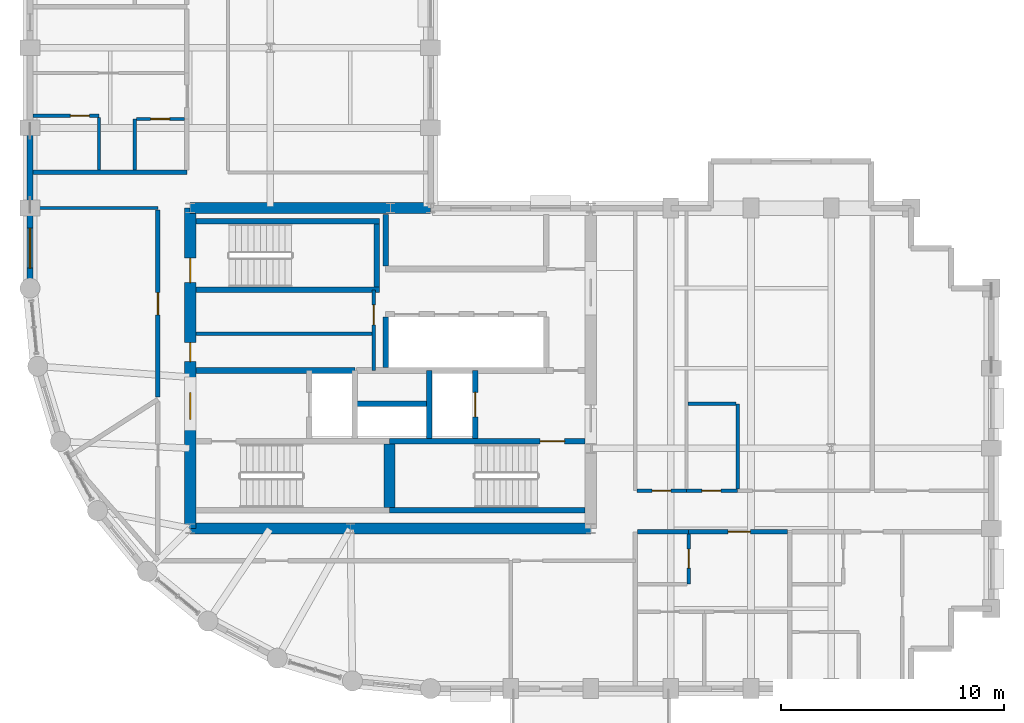
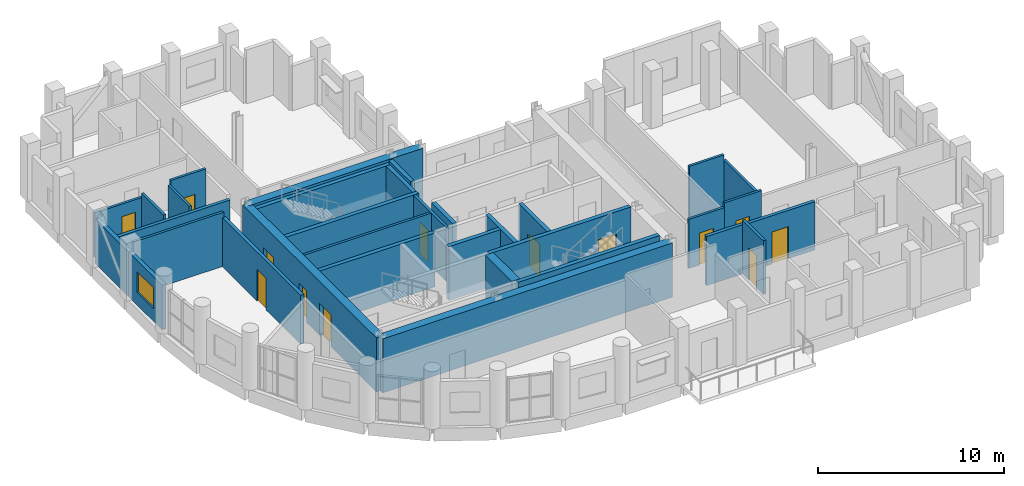
# One storey, part 7 of 12: 33 walls, 13 doors, 1 window, 14 openings.
"""IFC4 building model written with IfcOpenShell, lengths in metres."""

from ifc_helpers import new_model, si_unit, direction, frame, frame_2d, origin, place, context, subcontext, project, spatial, rectangle, extrude, material, layer, layer_set, type_object, element, fill, save


model = new_model("IFC4")

# Units and contexts
model_context = context("Model", 3, precision=1e-05, world=origin(), true_north=direction((0.0, 1.0)))
body_context = subcontext(model_context, "Body", "Model", "MODEL_VIEW")
ifc_project = project(units=[si_unit("LENGTHUNIT", "METRE"), si_unit("AREAUNIT", "SQUARE_METRE"), si_unit("VOLUMEUNIT", "CUBIC_METRE"), si_unit("PLANEANGLEUNIT", "RADIAN"), si_unit("MASSUNIT", "GRAM", prefix="KILO")], contexts=[model_context])

# Site, building, storey
site_placement = place(None, origin())
site = spatial("IfcSite", under=ifc_project, at=site_placement, CompositionType="ELEMENT")
building_placement = place(site_placement, origin())
building = spatial("IfcBuilding", under=site, at=building_placement, Name="Solnavia Interchange Tower", CompositionType="ELEMENT")
storey_placement = place(building_placement, frame((0.0, 0.0, 182.39990234375)))
storey = spatial("IfcBuildingStorey", under=building, at=storey_placement, Name="L45", CompositionType="ELEMENT", Elevation=182.39990234375)

# Wall, opening, door
ifc_material_1 = material(Name="Gypsum Acoustic Twin-Stud & Mineral Wool", Category="gypsum")
ifc_layer_1 = layer(ifc_material_1, 0.199951171875)
ifc_layer_set_1 = layer_set([ifc_layer_1], Name="Gypsum Acoustic Twin-Stud & Mineral Wool")
wall_type_1 = type_object("IfcWallType", Name="Wall-ApartmentParty-200", PredefinedType="PARTITIONING", material=ifc_layer_set_1)
wall_1_placement = place(storey_placement, frame((12.949951171875, 16.7041015625, 0.0), z_axis=(0.0, 0.0, 1.0), x_axis=(0.0, 1.0, 0.0)))
wall_1 = element("IfcWall", 1, at=wall_1_placement, inside=storey, type_object=wall_type_1, Name="PTW-L45-11 Interior partition wall", PredefinedType="PARTITIONING", context=body_context, shape_type="SweptSolid", body=[
    extrude(rectangle(XDim=8.4169921875, YDim=0.199951171875, at=frame_2d((4.20849609375, 0.0))), origin(), (0.0, 0.0, 1.0), 3.22021484375),
])
opening_1_placement = place(wall_1_placement, frame((3.696044921875, 0.0, 0.0)))
opening_1 = element("IfcOpeningElement", 2, at=opening_1_placement, cuts=wall_1, Name="Opening DR-07", PredefinedType="OPENING", context=body_context, shape_type="SweptSolid", body=[
    extrude(rectangle(XDim=1.0, YDim=2.10009765625, at=frame_2d((0.5, 1.050048828125))), frame((0.0, 0.10986328125, 0.0), z_axis=(0.0, -1.0, 0.0), x_axis=(1.0, 0.0, 0.0)), (0.0, 0.0, 1.0), 0.219970703125),
])
ifc_material_2 = material(Name="Timber & Acoustic Glazed Office Door", Category="wood")
door_type_1 = type_object("IfcDoorType", Name="Door-Office-1000x2100", OperationType="SINGLE_SWING_RIGHT", PredefinedType="DOOR", material=ifc_material_2)
door_1_placement = place(opening_1_placement, origin())
door_1 = element("IfcDoor", 3, at=door_1_placement, inside=storey, type_object=door_type_1, Name="DR-L45-03 Interior room door", OperationType="SINGLE_SWING_LEFT", OverallHeight=2.10009765625, OverallWidth=1.0, PredefinedType="DOOR", context=body_context, shape_type="SweptSolid", body=[
    extrude(rectangle(XDim=1.0, YDim=2.10009765625, at=frame_2d((0.5, 1.050048828125))), frame((0.0, 0.02490234375, 0.0), z_axis=(0.0, -1.0, 0.0), x_axis=(1.0, 0.0, 0.0)), (0.0, 0.0, 1.0), 0.050048828125),
])
fill(opening_1, door_1)

# Wall
wall_2_placement = place(storey_placement, frame((34.50390625, 10.64990234375, 0.0), z_axis=(0.0, 0.0, 1.0), x_axis=(1.0, 0.0, 0.0)))
element("IfcWall", 4, at=wall_2_placement, inside=storey, type_object=wall_type_1, Name="PTW-L45-17 Interior partition wall", PredefinedType="PARTITIONING", context=body_context, shape_type="SweptSolid", body=[
    extrude(rectangle(XDim=2.296142578125, YDim=0.199951171875, at=frame_2d((1.14794921875, 0.0))), origin(), (0.0, 0.0, 1.0), 3.22021484375),
])

# Wall, opening, door
wall_3_placement = place(storey_placement, frame((36.800048828125, 10.64990234375, 0.0), z_axis=(0.0, 0.0, 1.0), x_axis=(1.0, 0.0, 0.0)))
wall_3 = element("IfcWall", 5, at=wall_3_placement, inside=storey, type_object=wall_type_1, Name="PTW-L45-20 Interior partition wall", PredefinedType="PARTITIONING", context=body_context, shape_type="SweptSolid", body=[
    extrude(rectangle(XDim=4.446044921875, YDim=0.199951171875, at=frame_2d((2.22314453125, 0.0))), origin(), (0.0, 0.0, 1.0), 3.170166015625),
])
opening_2_placement = place(wall_3_placement, frame((1.77490234375, 0.0, 0.0)))
opening_2 = element("IfcOpeningElement", 6, at=opening_2_placement, cuts=wall_3, Name="Opening DR-06", PredefinedType="OPENING", context=body_context, shape_type="SweptSolid", body=[
    extrude(rectangle(XDim=1.0, YDim=2.10009765625, at=frame_2d((0.5, 1.050048828125))), frame((0.0, 0.10986328125, 0.0), z_axis=(0.0, -1.0, 0.0), x_axis=(1.0, 0.0, 0.0)), (0.0, 0.0, 1.0), 0.219970703125),
])
ifc_material_3 = material(Name="Engineered Timber Acoustic Fire Door", Category="wood")
door_type_2 = type_object("IfcDoorType", Name="Door-FlatEntry-1000x2100", OperationType="SINGLE_SWING_LEFT", PredefinedType="DOOR", material=ifc_material_3)
door_2_placement = place(opening_2_placement, origin())
door_2 = element("IfcDoor", 7, at=door_2_placement, inside=storey, type_object=door_type_2, Name="DR-L45-08 Interior room door", OperationType="SINGLE_SWING_LEFT", OverallHeight=2.10009765625, OverallWidth=1.0, PredefinedType="DOOR", context=body_context, shape_type="SweptSolid", body=[
    extrude(rectangle(XDim=1.0, YDim=2.10009765625, at=frame_2d((0.5, 1.050048828125))), frame((0.0, 0.02490234375, 0.0), z_axis=(0.0, -1.0, 0.0), x_axis=(1.0, 0.0, 0.0)), (0.0, 0.0, 1.0), 0.050048828125),
])
fill(opening_2, door_2)

# Walls
wall_4_placement = place(storey_placement, frame((7.3291015625, 26.800048828125, 0.0), z_axis=(0.0, 0.0, 1.0), x_axis=(1.0, 0.0, 0.0)))
element("IfcWall", 8, at=wall_4_placement, inside=storey, type_object=wall_type_1, Name="PTW-L45-35 Interior partition wall", PredefinedType="PARTITIONING", context=body_context, shape_type="SweptSolid", body=[
    extrude(rectangle(XDim=6.9208984375, YDim=0.199951171875, at=frame_2d((3.46044921875, 0.0))), origin(), (0.0, 0.0, 1.0), 2.93017578125),
])
ifc_material_4 = material(Name="Concrete C40/50", Category="concrete")
ifc_layer_2 = layer(ifc_material_4, 0.25)
ifc_layer_set_2 = layer_set([ifc_layer_2], Name="Concrete C40/50")
wall_type_2 = type_object("IfcWallType", Name="Wall-ExtSpandrel-250", PredefinedType="STANDARD", material=ifc_layer_set_2)
wall_5_placement = place(storey_placement, frame((7.199951171875, 25.199951171875, 0.0), z_axis=(0.0, 0.0, 1.0), x_axis=(0.0, 1.0, 0.0)))
element("IfcWall", 9, at=wall_5_placement, inside=storey, type_object=wall_type_2, Name="EXW-L45-45 Exterior precast spandrel wall", PredefinedType="STANDARD", context=body_context, shape_type="SweptSolid", body=[
    extrude(rectangle(XDim=3.60009765625, YDim=0.25, at=frame_2d((1.800048828125, 0.0))), origin(), (0.0, 0.0, 1.0), 2.93017578125),
])

# Wall, opening, window
wall_6_placement = place(storey_placement, frame((7.199951171875, 21.60009765625, 0.0), z_axis=(0.0, 0.0, 1.0), x_axis=(0.0, 1.0, 0.0)))
wall_6 = element("IfcWall", 10, at=wall_6_placement, inside=storey, type_object=wall_type_2, Name="EXW-L45-46 Exterior precast spandrel wall", PredefinedType="STANDARD", context=body_context, shape_type="SweptSolid", body=[
    extrude(rectangle(XDim=3.599853515625, YDim=0.25, at=frame_2d((1.7998046875, 0.0))), origin(), (0.0, 0.0, 1.0), 2.93017578125),
])
opening_3_placement = place(wall_6_placement, frame((0.89990234375, 0.0, 0.85009765625)))
opening_3 = element("IfcOpeningElement", 11, at=opening_3_placement, cuts=wall_6, Name="Opening WIN-02", PredefinedType="OPENING", context=body_context, shape_type="SweptSolid", body=[
    extrude(rectangle(XDim=1.800048828125, YDim=1.35009765625, at=frame_2d((0.89990234375, 0.675048828125))), frame((0.0, 0.135009765625, 0.0), z_axis=(0.0, -1.0, 0.0), x_axis=(1.0, 0.0, 0.0)), (0.0, 0.0, 1.0), 0.27001953125),
])
ifc_material_5 = material(Name="Thermal-Break Aluminium & Low-E Glass", Category="aluminium")
window_type = type_object("IfcWindowType", Name="Window-Ribbon-1800x1350", PartitioningType="SINGLE_PANEL", PredefinedType="WINDOW", material=ifc_material_5)
window_placement = place(opening_3_placement, origin())
window = element("IfcWindow", 12, at=window_placement, inside=storey, type_object=window_type, Name="WIN-L45-46 Facade ribbon window", OverallHeight=1.35009765625, OverallWidth=1.800048828125, PartitioningType="SINGLE_PANEL", PredefinedType="WINDOW", context=body_context, shape_type="SweptSolid", body=[
    extrude(rectangle(XDim=1.800048828125, YDim=1.35009765625, at=frame_2d((0.89990234375, 0.675048828125))), frame((0.0, 0.030029296875, 0.0), z_axis=(0.0, -1.0, 0.0), x_axis=(1.0, 0.0, 0.0)), (0.0, 0.0, 1.0), 0.06005859375),
])
fill(opening_3, window)

# Wall, opening, door
ifc_material_6 = material(Name="Gypsum Plasterboard & Steel Stud", Category="steel")
ifc_layer_3 = layer(ifc_material_6, 0.14990234375)
ifc_layer_set_3 = layer_set([ifc_layer_3], Name="Gypsum Plasterboard & Steel Stud")
wall_type_3 = type_object("IfcWallType", Name="Wall-Partition-150", PredefinedType="PARTITIONING", material=ifc_layer_set_3)
wall_7_placement = place(storey_placement, frame((22.64990234375, 17.89990234375, 0.0), z_axis=(0.0, 0.0, 1.0), x_axis=(0.0, 1.0, 0.0)))
wall_7 = element("IfcWall", 13, at=wall_7_placement, inside=storey, type_object=wall_type_3, Name="CSW-L45-E Core shaft wall", PredefinedType="PARTITIONING", context=body_context, shape_type="SweptSolid", body=[
    extrude(rectangle(XDim=3.625, YDim=0.14990234375, at=frame_2d((1.8125, 0.0))), origin(), (0.0, 0.0, 1.0), 3.53515625),
])
opening_4_placement = place(wall_7_placement, frame((2.050048828125, 0.0, 0.0)))
opening_4 = element("IfcOpeningElement", 14, at=opening_4_placement, cuts=wall_7, Name="Opening DR-09", PredefinedType="OPENING", context=body_context, shape_type="SweptSolid", body=[
    extrude(rectangle(XDim=0.89990234375, YDim=2.10009765625, at=frame_2d((0.449951171875, 1.050048828125))), frame((0.0, 0.0849609375, 0.0), z_axis=(0.0, -1.0, 0.0), x_axis=(1.0, 0.0, 0.0)), (0.0, 0.0, 1.0), 0.169921875),
])
ifc_material_7 = material(Name="Engineered Oak Veneer Door", Category="wood")
door_type_3 = type_object("IfcDoorType", Name="Door-Internal-900x2100", OperationType="SINGLE_SWING_LEFT", PredefinedType="DOOR", material=ifc_material_7)
door_3_placement = place(opening_4_placement, origin())
door_3 = element("IfcDoor", 15, at=door_3_placement, inside=storey, type_object=door_type_3, Name="DR-L45-CS2 Core fire door", OperationType="SINGLE_SWING_LEFT", OverallHeight=2.10009765625, OverallWidth=0.89990234375, PredefinedType="DOOR", context=body_context, shape_type="SweptSolid", body=[
    extrude(rectangle(XDim=0.89990234375, YDim=2.10009765625, at=frame_2d((0.449951171875, 1.050048828125))), frame((0.0, 0.02490234375, 0.0), z_axis=(0.0, -1.0, 0.0), x_axis=(1.0, 0.0, 0.0)), (0.0, 0.0, 1.0), 0.050048828125),
])
fill(opening_4, door_3)

# Walls
wall_8_placement = place(storey_placement, frame((14.64990234375, 19.550048828125, 0.0), z_axis=(0.0, 0.0, 1.0), x_axis=(1.0, 0.0, 0.0)))
element("IfcWall", 16, at=wall_8_placement, inside=storey, type_object=wall_type_3, Name="CSW-L45-H1 Core shaft wall", PredefinedType="PARTITIONING", context=body_context, shape_type="SweptSolid", body=[
    extrude(rectangle(XDim=8.0, YDim=0.14990234375, at=frame_2d((4.0, 0.0))), origin(), (0.0, 0.0, 1.0), 3.53515625),
])
wall_9_placement = place(storey_placement, frame((7.3291015625, 25.199951171875, 0.0), z_axis=(0.0, 0.0, 1.0), x_axis=(1.0, 0.0, 0.0)))
element("IfcWall", 17, at=wall_9_placement, inside=storey, type_object=wall_type_3, Name="PTW-L45-07 Interior partition wall", PredefinedType="PARTITIONING", context=body_context, shape_type="SweptSolid", body=[
    extrude(rectangle(XDim=5.620849609375, YDim=0.14990234375, at=frame_2d((2.810546875, 0.0))), origin(), (0.0, 0.0, 1.0), 3.53515625),
])
ifc_layer_4 = layer(ifc_material_4, 0.25)
ifc_layer_set_4 = layer_set([ifc_layer_4], Name="Concrete C40/50")
wall_type_4 = type_object("IfcWallType", Name="Wall-ShaftCore-250", PredefinedType="SHEAR", material=ifc_layer_set_4)
wall_10_placement = place(storey_placement, frame((23.35009765625, 11.625, 0.0), z_axis=(0.0, 0.0, 1.0), x_axis=(1.0, 0.0, 0.0)))
element("IfcWall", 18, at=wall_10_placement, inside=storey, type_object=wall_type_4, Name="SHW-L45-ST2S Core shear wall", PredefinedType="SHEAR", context=body_context, shape_type="SweptSolid", body=[
    extrude(rectangle(XDim=8.7998046875, YDim=0.25, at=frame_2d((4.39990234375, 0.0))), origin(), (0.0, 0.0, 1.0), 3.550048828125),
])

# Wall, opening, door
wall_11_placement = place(storey_placement, frame((23.35009765625, 14.715087890625, 0.0), z_axis=(0.0, 0.0, 1.0), x_axis=(1.0, 0.0, 0.0)))
wall_11 = element("IfcWall", 19, at=wall_11_placement, inside=storey, type_object=wall_type_4, Name="SHW-L45-ST2N Core shear wall", PredefinedType="SHEAR", context=body_context, shape_type="SweptSolid", body=[
    extrude(rectangle(XDim=8.7998046875, YDim=0.25, at=frame_2d((4.39990234375, 0.0))), origin(), (0.0, 0.0, 1.0), 3.550048828125),
])
opening_5_placement = place(wall_11_placement, frame((6.77490234375, 0.0, 0.0)))
opening_5 = element("IfcOpeningElement", 20, at=opening_5_placement, cuts=wall_11, Name="Opening DR-01", PredefinedType="OPENING", context=body_context, shape_type="SweptSolid", body=[
    extrude(rectangle(XDim=1.10009765625, YDim=2.10009765625, at=frame_2d((0.550048828125, 1.050048828125))), frame((0.0, 0.135009765625, 0.0), z_axis=(0.0, -1.0, 0.0), x_axis=(1.0, 0.0, 0.0)), (0.0, 0.0, 1.0), 0.27001953125),
])
ifc_material_8 = material(Name="Steel Fire-Rated Leaf & Frame", Category="steel")
door_type_4 = type_object("IfcDoorType", Name="Door-StairFire-1100x2100", OperationType="SINGLE_SWING_LEFT", PredefinedType="DOOR", material=ifc_material_8)
door_4_placement = place(opening_5_placement, origin())
door_4 = element("IfcDoor", 21, at=door_4_placement, inside=storey, type_object=door_type_4, Name="DR-L45-ST2 Core fire door", OperationType="SINGLE_SWING_LEFT", OverallHeight=2.10009765625, OverallWidth=1.10009765625, PredefinedType="DOOR", context=body_context, shape_type="SweptSolid", body=[
    extrude(rectangle(XDim=1.10009765625, YDim=2.10009765625, at=frame_2d((0.550048828125, 1.050048828125))), frame((0.0, 0.02490234375, 0.0), z_axis=(0.0, -1.0, 0.0), x_axis=(1.0, 0.0, 0.0)), (0.0, 0.0, 1.0), 0.050048828125),
])
fill(opening_5, door_4)

# Walls
for number, where, z_axis, x_axis, name in (
    (22, (14.64990234375, 21.52490234375, 0.0), (0.0, 0.0, 1.0), (1.0, 0.0, 0.0), "SHW-L45-ST3S Core shear wall"),
    (23, (14.64990234375, 24.614990234375, 0.0), (0.0, 0.0, 1.0), (1.0, 0.0, 0.0), "SHW-L45-ST3N Core shear wall"),
):
    element("IfcWall", number, at=place(storey_placement, frame(where, z_axis=z_axis, x_axis=x_axis)), inside=storey, type_object=wall_type_4, Name=name, PredefinedType="SHEAR", context=body_context, shape_type="SweptSolid", body=[
        extrude(rectangle(XDim=8.25, YDim=0.25, at=frame_2d((4.125, 0.0))), origin(), (0.0, 0.0, 1.0), 3.550048828125),
    ])
wall_12_placement = place(storey_placement, frame((22.77490234375, 21.64990234375, 0.0), z_axis=(0.0, 0.0, 1.0), x_axis=(0.0, 1.0, 0.0)))
element("IfcWall", 24, at=wall_12_placement, inside=storey, type_object=wall_type_4, Name="SHW-L45-ST3E Core shear wall", PredefinedType="SHEAR", context=body_context, shape_type="SweptSolid", body=[
    extrude(rectangle(XDim=2.840087890625, YDim=0.25, at=frame_2d((1.419921875, 0.0))), origin(), (0.0, 0.0, 1.0), 3.550048828125),
])
ifc_layer_5 = layer(ifc_material_4, 0.25)
ifc_layer_set_5 = layer_set([ifc_layer_5], Name="Concrete C40/50")
wall_type_5 = type_object("IfcWallType", Name="Wall-ShaftPart-250", PredefinedType="PARTITIONING", material=ifc_layer_set_5)
wall_13_placement = place(storey_placement, frame((14.64990234375, 17.89990234375, 0.0), z_axis=(0.0, 0.0, 1.0), x_axis=(1.0, 0.0, 0.0)))
element("IfcWall", 25, at=wall_13_placement, inside=storey, type_object=wall_type_5, Name="SHW-L45-FFLW-N Core shaft wall", PredefinedType="PARTITIONING", context=body_context, shape_type="SweptSolid", body=[
    extrude(rectangle(XDim=7.150146484375, YDim=0.25, at=frame_2d((3.5751953125, 0.0))), origin(), (0.0, 0.0, 1.0), 3.53515625),
])
wall_14_placement = place(storey_placement, frame((25.14990234375, 14.840087890625, 0.0), z_axis=(0.0, 0.0, 1.0), x_axis=(0.0, 1.0, 0.0)))
element("IfcWall", 26, at=wall_14_placement, inside=storey, type_object=wall_type_5, Name="SHW-L45-FFL2-W Core shaft wall", PredefinedType="PARTITIONING", context=body_context, shape_type="SweptSolid", body=[
    extrude(rectangle(XDim=3.059814453125, YDim=0.25, at=frame_2d((1.52978515625, 0.0))), origin(), (0.0, 0.0, 1.0), 3.53515625),
])

# Wall, opening, door
wall_15_placement = place(storey_placement, frame((27.199951171875, 14.840087890625, 0.0), z_axis=(0.0, 0.0, 1.0), x_axis=(0.0, 1.0, 0.0)))
wall_15 = element("IfcWall", 27, at=wall_15_placement, inside=storey, type_object=wall_type_5, Name="SHW-L45-FFL2-E Core shaft wall", PredefinedType="PARTITIONING", context=body_context, shape_type="SweptSolid", body=[
    extrude(rectangle(XDim=3.059814453125, YDim=0.25, at=frame_2d((1.52978515625, 0.0))), origin(), (0.0, 0.0, 1.0), 3.53515625),
])
opening_6_placement = place(wall_15_placement, frame((0.97998046875, 0.0, 0.0)))
opening_6 = element("IfcOpeningElement", 28, at=opening_6_placement, cuts=wall_15, Name="Opening LD-01", PredefinedType="OPENING", context=body_context, shape_type="SweptSolid", body=[
    extrude(rectangle(XDim=1.10009765625, YDim=2.10009765625, at=frame_2d((0.550048828125, 1.050048828125))), frame((0.0, 0.135009765625, 0.0), z_axis=(0.0, -1.0, 0.0), x_axis=(1.0, 0.0, 0.0)), (0.0, 0.0, 1.0), 0.27001953125),
])
ifc_material_9 = material(Name="Brushed Stainless Steel Sliding Door", Category="steel")
door_type_5 = type_object("IfcDoorType", Name="Door-LiftLanding-1100x2100", OperationType="SLIDING_TO_LEFT", PredefinedType="DOOR", material=ifc_material_9)
door_5_placement = place(opening_6_placement, origin())
door_5 = element("IfcDoor", 29, at=door_5_placement, inside=storey, type_object=door_type_5, Name="LD-L45-FFL2 Lift landing sliding door", OperationType="SLIDING_TO_LEFT", OverallHeight=2.10009765625, OverallWidth=1.10009765625, PredefinedType="DOOR", context=body_context, shape_type="SweptSolid", body=[
    extrude(rectangle(XDim=1.10009765625, YDim=2.10009765625, at=frame_2d((0.550048828125, 1.050048828125))), frame((0.0, 0.02490234375, 0.0), z_axis=(0.0, -1.0, 0.0), x_axis=(1.0, 0.0, 0.0)), (0.0, 0.0, 1.0), 0.050048828125),
])
fill(opening_6, door_5)

# Walls
wall_16_placement = place(storey_placement, frame((21.800048828125, 16.39990234375, 0.0), z_axis=(0.0, 0.0, 1.0), x_axis=(1.0, 0.0, 0.0)))
element("IfcWall", 30, at=wall_16_placement, inside=storey, type_object=wall_type_5, Name="SHW-L45-MEP-N Core shaft wall", PredefinedType="PARTITIONING", context=body_context, shape_type="SweptSolid", body=[
    extrude(rectangle(XDim=3.349853515625, YDim=0.25, at=frame_2d((1.6748046875, 0.0))), origin(), (0.0, 0.0, 1.0), 3.53515625),
])
wall_17_placement = place(storey_placement, frame((23.179931640625, 18.02490234375, 0.0), z_axis=(0.0, 0.0, 1.0), x_axis=(0.0, 1.0, 0.0)))
element("IfcWall", 31, at=wall_17_placement, inside=storey, type_object=wall_type_5, Name="SHW-L45-B2W Core shaft wall", PredefinedType="PARTITIONING", context=body_context, shape_type="SweptSolid", body=[
    extrude(rectangle(XDim=2.27001953125, YDim=0.25, at=frame_2d((1.135009765625, 0.0))), origin(), (0.0, 0.0, 1.0), 3.53515625),
])
wall_18_placement = place(storey_placement, frame((23.179931640625, 22.5849609375, 0.0), z_axis=(0.0, 0.0, 1.0), x_axis=(0.0, 1.0, 0.0)))
element("IfcWall", 32, at=wall_18_placement, inside=storey, type_object=wall_type_5, Name="SHW-L45-B3W Core shaft wall", PredefinedType="PARTITIONING", context=body_context, shape_type="SweptSolid", body=[
    extrude(rectangle(XDim=2.31494140625, YDim=0.25, at=frame_2d((1.157470703125, 0.0))), origin(), (0.0, 0.0, 1.0), 3.53515625),
])
ifc_material_10 = material(Name="Concrete C60/75", Category="concrete")
ifc_layer_6 = layer(ifc_material_10, 0.5)
ifc_layer_set_6 = layer_set([ifc_layer_6], Name="Concrete C60/75")
wall_type_6 = type_object("IfcWallType", Name="Wall-ShearCore-500", PredefinedType="SHEAR", material=ifc_layer_set_6)
wall_19_placement = place(storey_placement, frame((14.39990234375, 10.800048828125, 0.0), z_axis=(0.0, 0.0, 1.0), x_axis=(1.0, 0.0, 0.0)))
element("IfcWall", 33, at=wall_19_placement, inside=storey, type_object=wall_type_6, Name="CRW-L45-S Core shear wall", PredefinedType="SHEAR", context=body_context, shape_type="SweptSolid", body=[
    extrude(rectangle(XDim=18.0, YDim=0.5, at=frame_2d((9.0, 0.0))), origin(), (0.0, 0.0, 1.0), 3.550048828125),
])
wall_20_placement = place(storey_placement, frame((14.39990234375, 25.199951171875, 0.0), z_axis=(0.0, 0.0, 1.0), x_axis=(1.0, 0.0, 0.0)))
element("IfcWall", 34, at=wall_20_placement, inside=storey, type_object=wall_type_6, Name="CRW-L45-N Core shear wall", PredefinedType="SHEAR", context=body_context, shape_type="SweptSolid", body=[
    extrude(rectangle(XDim=10.800048828125, YDim=0.5, at=frame_2d((5.39990234375, 0.0))), origin(), (0.0, 0.0, 1.0), 3.550048828125),
])

# Wall, openings, doors
wall_21_placement = place(storey_placement, frame((14.39990234375, 10.800048828125, 0.0), z_axis=(0.0, 0.0, 1.0), x_axis=(0.0, 1.0, 0.0)))
wall_21 = element("IfcWall", 35, at=wall_21_placement, inside=storey, type_object=wall_type_6, Name="CRW-L45-W Core shear wall", PredefinedType="SHEAR", context=body_context, shape_type="SweptSolid", body=[
    extrude(rectangle(XDim=14.39990234375, YDim=0.5, at=frame_2d((7.199951171875, 0.0))), origin(), (0.0, 0.0, 1.0), 3.550048828125),
])
opening_7_placement = place(wall_21_placement, frame((11.050048828125, 0.0, 0.0)))
opening_7 = element("IfcOpeningElement", 36, at=opening_7_placement, cuts=wall_21, Name="Opening DR-01", PredefinedType="OPENING", context=body_context, shape_type="SweptSolid", body=[
    extrude(rectangle(XDim=1.10009765625, YDim=2.10009765625, at=frame_2d((0.550048828125, 1.050048828125))), frame((0.0, 0.260009765625, 0.0), z_axis=(0.0, -1.0, 0.0), x_axis=(1.0, 0.0, 0.0)), (0.0, 0.0, 1.0), 0.52001953125),
])
opening_8_placement = place(wall_21_placement, frame((4.89990234375, 0.0, 0.0)))
opening_8 = element("IfcOpeningElement", 37, at=opening_8_placement, cuts=wall_21, Name="Opening DR-02", PredefinedType="OPENING", context=body_context, shape_type="SweptSolid", body=[
    extrude(rectangle(XDim=1.199951171875, YDim=2.10009765625, at=frame_2d((0.60009765625, 1.050048828125))), frame((0.0, 0.260009765625, 0.0), z_axis=(0.0, -1.0, 0.0), x_axis=(1.0, 0.0, 0.0)), (0.0, 0.0, 1.0), 0.52001953125),
])
opening_9_placement = place(wall_21_placement, frame((7.5, 0.0, 0.0)))
opening_9 = element("IfcOpeningElement", 38, at=opening_9_placement, cuts=wall_21, Name="Opening DR-10", PredefinedType="OPENING", context=body_context, shape_type="SweptSolid", body=[
    extrude(rectangle(XDim=0.85009765625, YDim=2.10009765625, at=frame_2d((0.425048828125, 1.050048828125))), frame((0.0, 0.260009765625, 0.0), z_axis=(0.0, -1.0, 0.0), x_axis=(1.0, 0.0, 0.0)), (0.0, 0.0, 1.0), 0.52001953125),
])
ifc_material_11 = material(Name="Moisture-Resistant Timber Door", Category="wood")
door_type_6 = type_object("IfcDoorType", Name="Door-Bathroom-850x2100", OperationType="SINGLE_SWING_RIGHT", PredefinedType="DOOR", material=ifc_material_11)
door_6_placement = place(opening_9_placement, origin())
door_6 = element("IfcDoor", 39, at=door_6_placement, inside=storey, type_object=door_type_6, Name="DR-L45-CS1 Core fire door", OperationType="SINGLE_SWING_RIGHT", OverallHeight=2.10009765625, OverallWidth=0.85009765625, PredefinedType="DOOR", context=body_context, shape_type="SweptSolid", body=[
    extrude(rectangle(XDim=0.85009765625, YDim=2.10009765625, at=frame_2d((0.425048828125, 1.050048828125))), frame((0.0, 0.02490234375, 0.0), z_axis=(0.0, -1.0, 0.0), x_axis=(1.0, 0.0, 0.0)), (0.0, 0.0, 1.0), 0.050048828125),
])
fill(opening_9, door_6)
ifc_material_12 = material(Name="Steel Fire-Rated Vision-Panel Door", Category="steel")
door_type_7 = type_object("IfcDoorType", Name="Door-LobbyFire-1200x2100", OperationType="SINGLE_SWING_RIGHT", PredefinedType="DOOR", material=ifc_material_12)
door_7_placement = place(opening_8_placement, origin())
door_7 = element("IfcDoor", 40, at=door_7_placement, inside=storey, type_object=door_type_7, Name="DR-L45-FFL1W Core fire door", OperationType="SINGLE_SWING_RIGHT", OverallHeight=2.10009765625, OverallWidth=1.199951171875, PredefinedType="DOOR", context=body_context, shape_type="SweptSolid", body=[
    extrude(rectangle(XDim=1.199951171875, YDim=2.10009765625, at=frame_2d((0.60009765625, 1.050048828125))), frame((0.0, 0.02490234375, 0.0), z_axis=(0.0, -1.0, 0.0), x_axis=(1.0, 0.0, 0.0)), (0.0, 0.0, 1.0), 0.050048828125),
])
fill(opening_8, door_7)
door_8_placement = place(opening_7_placement, origin())
door_8 = element("IfcDoor", 41, at=door_8_placement, inside=storey, type_object=door_type_4, Name="DR-L45-ST3 Core fire door", OperationType="SINGLE_SWING_RIGHT", OverallHeight=2.10009765625, OverallWidth=1.10009765625, PredefinedType="DOOR", context=body_context, shape_type="SweptSolid", body=[
    extrude(rectangle(XDim=1.10009765625, YDim=2.10009765625, at=frame_2d((0.550048828125, 1.050048828125))), frame((0.0, 0.02490234375, 0.0), z_axis=(0.0, -1.0, 0.0), x_axis=(1.0, 0.0, 0.0)), (0.0, 0.0, 1.0), 0.050048828125),
])
fill(opening_7, door_8)

# Wall
wall_22_placement = place(storey_placement, frame((23.35009765625, 11.75, 0.0), z_axis=(0.0, 0.0, 1.0), x_axis=(0.0, 1.0, 0.0)))
element("IfcWall", 42, at=wall_22_placement, inside=storey, type_object=wall_type_6, Name="SHW-L45-ST12M Core shear wall", PredefinedType="SHEAR", context=body_context, shape_type="SweptSolid", body=[
    extrude(rectangle(XDim=2.840087890625, YDim=0.5, at=frame_2d((1.419921875, 0.0))), origin(), (0.0, 0.0, 1.0), 3.550048828125),
])

# Wall, opening, door
ifc_material_13 = material(Name="Moisture-Resistant Gypsum & Steel Stud", Category="steel")
ifc_layer_7 = layer(ifc_material_13, 0.14990234375)
ifc_layer_set_7 = layer_set([ifc_layer_7], Name="Moisture-Resistant Gypsum & Steel Stud")
wall_type_7 = type_object("IfcWallType", Name="Wall-WetRoom-150", PredefinedType="PARTITIONING", material=ifc_layer_set_7)
wall_23_placement = place(storey_placement, frame((34.47900390625, 12.5, 0.0), z_axis=(0.0, 0.0, 1.0), x_axis=(1.0, 0.0, 0.0)))
wall_23 = element("IfcWall", 43, at=wall_23_placement, inside=storey, type_object=wall_type_7, Name="PTW-L45-02 Interior partition wall", PredefinedType="PARTITIONING", context=body_context, shape_type="SweptSolid", body=[
    extrude(rectangle(XDim=2.220947265625, YDim=0.14990234375, at=frame_2d((1.1103515625, 0.0))), origin(), (0.0, 0.0, 1.0), 3.22021484375),
])
opening_10_placement = place(wall_23_placement, frame((0.674072265625, 0.0, 0.0)))
opening_10 = element("IfcOpeningElement", 44, at=opening_10_placement, cuts=wall_23, Name="Opening DR-10", PredefinedType="OPENING", context=body_context, shape_type="SweptSolid", body=[
    extrude(rectangle(XDim=0.85009765625, YDim=2.10009765625, at=frame_2d((0.425048828125, 1.050048828125))), frame((0.0, 0.0849609375, 0.0), z_axis=(0.0, -1.0, 0.0), x_axis=(1.0, 0.0, 0.0)), (0.0, 0.0, 1.0), 0.169921875),
])
door_9_placement = place(opening_10_placement, origin())
door_9 = element("IfcDoor", 45, at=door_9_placement, inside=storey, type_object=door_type_6, Name="DR-L45-01 Interior room door", OperationType="SINGLE_SWING_LEFT", OverallHeight=2.10009765625, OverallWidth=0.85009765625, PredefinedType="DOOR", context=body_context, shape_type="SweptSolid", body=[
    extrude(rectangle(XDim=0.85009765625, YDim=2.10009765625, at=frame_2d((0.425048828125, 1.050048828125))), frame((0.0, 0.02490234375, 0.0), z_axis=(0.0, -1.0, 0.0), x_axis=(1.0, 0.0, 0.0)), (0.0, 0.0, 1.0), 0.050048828125),
])
fill(opening_10, door_9)

wall_24_placement = place(storey_placement, frame((36.699951171875, 12.5, 0.0), z_axis=(0.0, 0.0, 1.0), x_axis=(1.0, 0.0, 0.0)))
wall_24 = element("IfcWall", 46, at=wall_24_placement, inside=storey, type_object=wall_type_7, Name="PTW-L45-04 Interior partition wall", PredefinedType="PARTITIONING", context=body_context, shape_type="SweptSolid", body=[
    extrude(rectangle(XDim=2.300048828125, YDim=0.14990234375, at=frame_2d((1.14990234375, 0.0))), origin(), (0.0, 0.0, 1.0), 3.53515625),
])
opening_11_placement = place(wall_24_placement, frame((0.697021484375, 0.0, 0.0)))
opening_11 = element("IfcOpeningElement", 47, at=opening_11_placement, cuts=wall_24, Name="Opening DR-10", PredefinedType="OPENING", context=body_context, shape_type="SweptSolid", body=[
    extrude(rectangle(XDim=0.85009765625, YDim=2.10009765625, at=frame_2d((0.425048828125, 1.050048828125))), frame((0.0, 0.0849609375, 0.0), z_axis=(0.0, -1.0, 0.0), x_axis=(1.0, 0.0, 0.0)), (0.0, 0.0, 1.0), 0.169921875),
])
door_10_placement = place(opening_11_placement, origin())
door_10 = element("IfcDoor", 48, at=door_10_placement, inside=storey, type_object=door_type_6, Name="DR-L45-02 Interior room door", OperationType="SINGLE_SWING_RIGHT", OverallHeight=2.10009765625, OverallWidth=0.85009765625, PredefinedType="DOOR", context=body_context, shape_type="SweptSolid", body=[
    extrude(rectangle(XDim=0.85009765625, YDim=2.10009765625, at=frame_2d((0.425048828125, 1.050048828125))), frame((0.0, 0.02490234375, 0.0), z_axis=(0.0, -1.0, 0.0), x_axis=(1.0, 0.0, 0.0)), (0.0, 0.0, 1.0), 0.050048828125),
])
fill(opening_11, door_10)

# Walls
wall_25_placement = place(storey_placement, frame((39.0, 12.5791015625, 0.0), z_axis=(0.0, 0.0, 1.0), x_axis=(0.0, 1.0, 0.0)))
element("IfcWall", 49, at=wall_25_placement, inside=storey, type_object=wall_type_7, Name="PTW-L45-05 Interior partition wall", PredefinedType="PARTITIONING", context=body_context, shape_type="SweptSolid", body=[
    extrude(rectangle(XDim=3.82080078125, YDim=0.14990234375, at=frame_2d((1.910400390625, 0.0))), origin(), (0.0, 0.0, 1.0), 3.170166015625),
])
wall_26_placement = place(storey_placement, frame((36.779052734375, 16.39990234375, 0.0), z_axis=(0.0, 0.0, 1.0), x_axis=(1.0, 0.0, 0.0)))
element("IfcWall", 50, at=wall_26_placement, inside=storey, type_object=wall_type_7, Name="PTW-L45-06 Interior partition wall", PredefinedType="PARTITIONING", context=body_context, shape_type="SweptSolid", body=[
    extrude(rectangle(XDim=2.141845703125, YDim=0.14990234375, at=frame_2d((1.07080078125, 0.0))), origin(), (0.0, 0.0, 1.0), 3.53515625),
])

# Wall, opening, door
wall_27_placement = place(storey_placement, frame((36.800048828125, 8.300048828125, 0.0), z_axis=(0.0, 0.0, 1.0), x_axis=(0.0, 1.0, 0.0)))
wall_27 = element("IfcWall", 51, at=wall_27_placement, inside=storey, type_object=wall_type_7, Name="PTW-L45-18 Interior partition wall", PredefinedType="PARTITIONING", context=body_context, shape_type="SweptSolid", body=[
    extrude(rectangle(XDim=2.245849609375, YDim=0.14990234375, at=frame_2d((1.123046875, 0.0))), origin(), (0.0, 0.0, 1.0), 3.53515625),
])
opening_12_placement = place(wall_27_placement, frame((0.719970703125, 0.0, 0.0)))
opening_12 = element("IfcOpeningElement", 52, at=opening_12_placement, cuts=wall_27, Name="Opening DR-10", PredefinedType="OPENING", context=body_context, shape_type="SweptSolid", body=[
    extrude(rectangle(XDim=0.85009765625, YDim=2.10009765625, at=frame_2d((0.425048828125, 1.050048828125))), frame((0.0, 0.0849609375, 0.0), z_axis=(0.0, -1.0, 0.0), x_axis=(1.0, 0.0, 0.0)), (0.0, 0.0, 1.0), 0.169921875),
])
door_11_placement = place(opening_12_placement, origin())
door_11 = element("IfcDoor", 53, at=door_11_placement, inside=storey, type_object=door_type_6, Name="DR-L45-07 Interior room door", OperationType="SINGLE_SWING_RIGHT", OverallHeight=2.10009765625, OverallWidth=0.85009765625, PredefinedType="DOOR", context=body_context, shape_type="SweptSolid", body=[
    extrude(rectangle(XDim=0.85009765625, YDim=2.10009765625, at=frame_2d((0.425048828125, 1.050048828125))), frame((0.0, 0.02490234375, 0.0), z_axis=(0.0, -1.0, 0.0), x_axis=(1.0, 0.0, 0.0)), (0.0, 0.0, 1.0), 0.050048828125),
])
fill(opening_12, door_11)

# Wall
wall_28_placement = place(storey_placement, frame((11.89990234375, 26.904052734375, 0.0), z_axis=(0.0, 0.0, 1.0), x_axis=(0.0, 1.0, 0.0)))
element("IfcWall", 54, at=wall_28_placement, inside=storey, type_object=wall_type_7, Name="PTW-L45-38 Interior partition wall", PredefinedType="PARTITIONING", context=body_context, shape_type="SweptSolid", body=[
    extrude(rectangle(XDim=2.2958984375, YDim=0.14990234375, at=frame_2d((1.14794921875, 0.0))), origin(), (0.0, 0.0, 1.0), 3.22021484375),
])

# Wall, opening, door
wall_29_placement = place(storey_placement, frame((11.97900390625, 29.199951171875, 0.0), z_axis=(0.0, 0.0, 1.0), x_axis=(1.0, 0.0, 0.0)))
wall_29 = element("IfcWall", 55, at=wall_29_placement, inside=storey, type_object=wall_type_7, Name="PTW-L45-39 Interior partition wall", PredefinedType="PARTITIONING", context=body_context, shape_type="SweptSolid", body=[
    extrude(rectangle(XDim=2.1669921875, YDim=0.14990234375, at=frame_2d((1.08349609375, 0.0))), origin(), (0.0, 0.0, 1.0), 3.53515625),
])
opening_13_placement = place(wall_29_placement, frame((0.64111328125, 0.0, 0.0)))
opening_13 = element("IfcOpeningElement", 56, at=opening_13_placement, cuts=wall_29, Name="Opening DR-10", PredefinedType="OPENING", context=body_context, shape_type="SweptSolid", body=[
    extrude(rectangle(XDim=0.85009765625, YDim=2.10009765625, at=frame_2d((0.425048828125, 1.050048828125))), frame((0.0, 0.0849609375, 0.0), z_axis=(0.0, -1.0, 0.0), x_axis=(1.0, 0.0, 0.0)), (0.0, 0.0, 1.0), 0.169921875),
])
door_12_placement = place(opening_13_placement, origin())
door_12 = element("IfcDoor", 57, at=door_12_placement, inside=storey, type_object=door_type_6, Name="DR-L45-17 Interior room door", OperationType="SINGLE_SWING_RIGHT", OverallHeight=2.10009765625, OverallWidth=0.85009765625, PredefinedType="DOOR", context=body_context, shape_type="SweptSolid", body=[
    extrude(rectangle(XDim=0.85009765625, YDim=2.10009765625, at=frame_2d((0.425048828125, 1.050048828125))), frame((0.0, 0.02490234375, 0.0), z_axis=(0.0, -1.0, 0.0), x_axis=(1.0, 0.0, 0.0)), (0.0, 0.0, 1.0), 0.050048828125),
])
fill(opening_13, door_12)

wall_30_placement = place(storey_placement, frame((7.3291015625, 29.35009765625, 0.0), z_axis=(0.0, 0.0, 1.0), x_axis=(1.0, 0.0, 0.0)))
wall_30 = element("IfcWall", 58, at=wall_30_placement, inside=storey, type_object=wall_type_7, Name="PTW-L45-43 Interior partition wall", PredefinedType="PARTITIONING", context=body_context, shape_type="SweptSolid", body=[
    extrude(rectangle(XDim=2.970947265625, YDim=0.14990234375, at=frame_2d((1.4853515625, 0.0))), origin(), (0.0, 0.0, 1.0), 2.93017578125),
])
opening_14_placement = place(wall_30_placement, frame((1.68505859375, 0.0, 0.0)))
opening_14 = element("IfcOpeningElement", 59, at=opening_14_placement, cuts=wall_30, Name="Opening DR-10", PredefinedType="OPENING", context=body_context, shape_type="SweptSolid", body=[
    extrude(rectangle(XDim=0.85009765625, YDim=2.10009765625, at=frame_2d((0.425048828125, 1.050048828125))), frame((0.0, 0.0849609375, 0.0), z_axis=(0.0, -1.0, 0.0), x_axis=(1.0, 0.0, 0.0)), (0.0, 0.0, 1.0), 0.169921875),
])
door_13_placement = place(opening_14_placement, origin())
door_13 = element("IfcDoor", 60, at=door_13_placement, inside=storey, type_object=door_type_6, Name="DR-L45-20 Interior room door", OperationType="SINGLE_SWING_RIGHT", OverallHeight=2.10009765625, OverallWidth=0.85009765625, PredefinedType="DOOR", context=body_context, shape_type="SweptSolid", body=[
    extrude(rectangle(XDim=0.85009765625, YDim=2.10009765625, at=frame_2d((0.425048828125, 1.050048828125))), frame((0.0, 0.02490234375, 0.0), z_axis=(0.0, -1.0, 0.0), x_axis=(1.0, 0.0, 0.0)), (0.0, 0.0, 1.0), 0.050048828125),
])
fill(opening_14, door_13)

# Wall
wall_31_placement = place(storey_placement, frame((10.300048828125, 26.904052734375, 0.0), z_axis=(0.0, 0.0, 1.0), x_axis=(0.0, 1.0, 0.0)))
element("IfcWall", 61, at=wall_31_placement, inside=storey, type_object=wall_type_7, Name="PTW-L45-44 Interior partition wall", PredefinedType="PARTITIONING", context=body_context, shape_type="SweptSolid", body=[
    extrude(rectangle(XDim=2.366943359375, YDim=0.14990234375, at=frame_2d((1.18359375, 0.0))), origin(), (0.0, 0.0, 1.0), 3.22021484375),
])

save(model, "model.ifc")
